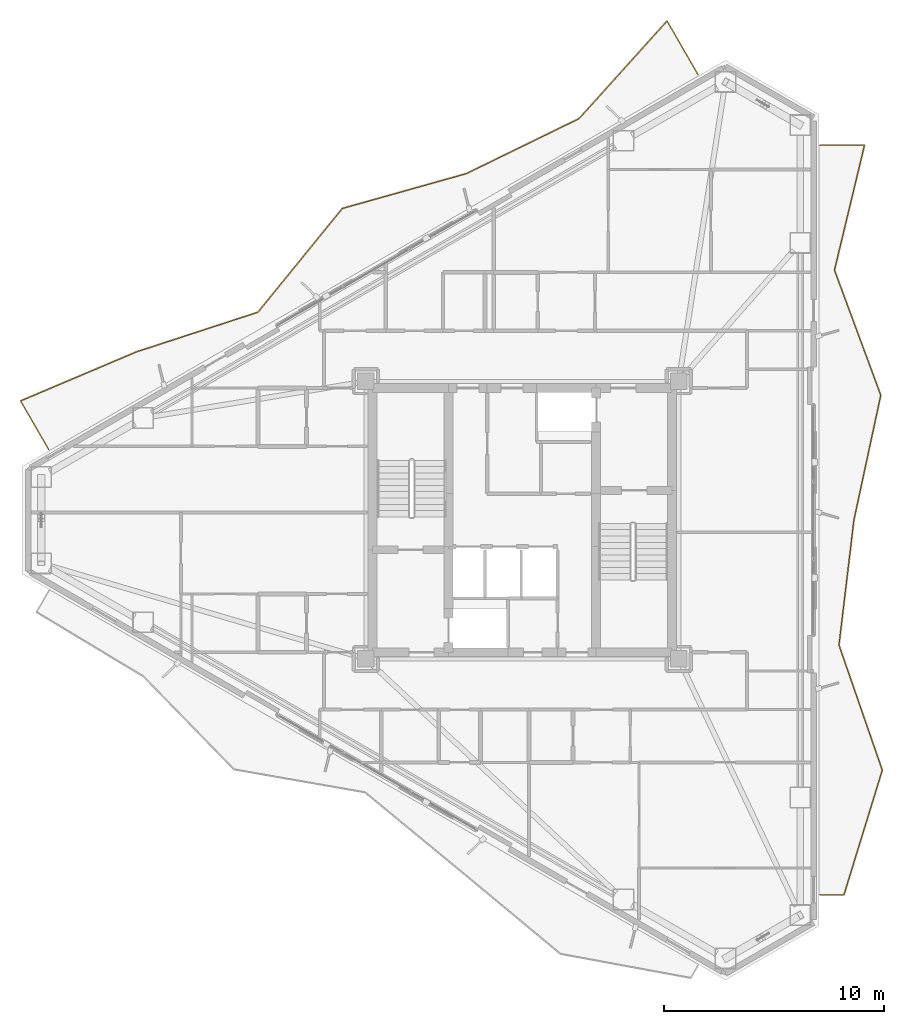
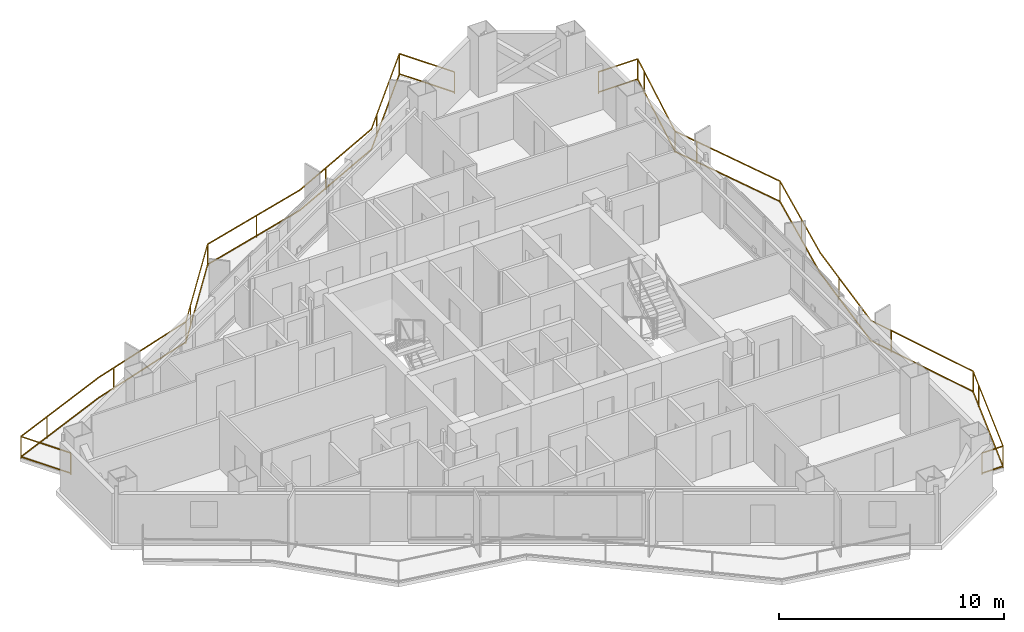
# One storey, part 19 of 19: 2 railings.
"""IFC4 building model written with IfcOpenShell, lengths in metres."""

from ifc_helpers import new_model, si_unit, direction, frame, origin, origin_2d, place, context, subcontext, project, spatial, rectangle, extrude, material, type_object, element, save


model = new_model("IFC4")

# Units and contexts
model_context = context("Model", 3, precision=1e-05, world=origin(), true_north=direction((0.0, 1.0)))
body_context = subcontext(model_context, "Body", "Model", "MODEL_VIEW")
ifc_project = project(units=[si_unit("LENGTHUNIT", "METRE"), si_unit("AREAUNIT", "SQUARE_METRE"), si_unit("VOLUMEUNIT", "CUBIC_METRE"), si_unit("PLANEANGLEUNIT", "RADIAN"), si_unit("MASSUNIT", "GRAM", prefix="KILO")], contexts=[model_context])

# Site, building, storey
site_placement = place(None, origin())
site = spatial("IfcSite", under=ifc_project, at=site_placement, CompositionType="ELEMENT")
building_placement = place(site_placement, origin())
building = spatial("IfcBuilding", under=site, at=building_placement, Name="Mersakhor Tower and Convention Hall", CompositionType="ELEMENT")
storey_placement = place(building_placement, frame((0.0, 0.0, 147.60009765625)))
storey = spatial("IfcBuildingStorey", under=building, at=storey_placement, Name="L41", CompositionType="ELEMENT", Elevation=147.60009765625)

# Railings
ifc_material = material(Name="Powder-coated galvanised steel and laminated glass balustrade", Category="steel")
railing_type = type_object("IfcRailingType", Name="RL-BAL-1200", PredefinedType="BALUSTRADE", material=ifc_material)
railing_1_placement = place(storey_placement, frame((36.983154296875, 46.969482421875, 0.0)))
element("IfcRailing", 1, at=railing_1_placement, inside=storey, type_object=railing_type, Name="L41 Sinusoidal Balcony Balustrade F1", PredefinedType="BALUSTRADE", context=body_context, shape_type="SweptSolid", body=[
    extrude(rectangle(XDim=0.048095703125, YDim=0.048095703125, at=origin_2d()), frame((0.0, 0.0, 1.17578125), z_axis=(-0.500012199891, 0.86601836006, 0.0), x_axis=(-0.86601836006, -0.500012199891, 0.0)), (0.0, 0.0, 1.0), 2.8203125),
    extrude(rectangle(XDim=0.048095703125, YDim=0.048095703125, at=origin_2d()), frame((0.0, 0.0, 0.080078125), z_axis=(-0.500012199891, 0.86601836006, 0.0), x_axis=(-0.86601836006, -0.500012199891, 0.0)), (0.0, 0.0, 1.0), 2.8203125),
    extrude(rectangle(XDim=0.048095703125, YDim=0.048095703125, at=origin_2d()), frame((-1.41015625, 2.4423828125, 1.17578125), z_axis=(-0.669360291036, -0.742937952177, 0.0), x_axis=(0.742937952177, -0.669360291036, 0.0)), (0.0, 0.0, 1.0), 5.966064453125),
    extrude(rectangle(XDim=0.048095703125, YDim=0.048095703125, at=origin_2d()), frame((-1.41015625, 2.4423828125, 0.080078125), z_axis=(-0.669360291036, -0.742937952177, 0.0), x_axis=(0.742937952177, -0.669360291036, 0.0)), (0.0, 0.0, 1.0), 5.966064453125),
    extrude(rectangle(XDim=0.048095703125, YDim=0.048095703125, at=origin_2d()), frame((-5.403564453125, -1.989990234375, 1.17578125), z_axis=(-0.898610808276, -0.438746641297, 0.0), x_axis=(0.438746641297, -0.898610808276, 0.0)), (0.0, 0.0, 1.0), 5.68798828125),
    extrude(rectangle(XDim=0.048095703125, YDim=0.048095703125, at=origin_2d()), frame((-5.403564453125, -1.989990234375, 0.080078125), z_axis=(-0.898610808276, -0.438746641297, 0.0), x_axis=(0.438746641297, -0.898610808276, 0.0)), (0.0, 0.0, 1.0), 5.68798828125),
    extrude(rectangle(XDim=0.048095703125, YDim=0.048095703125, at=origin_2d()), frame((-10.514892578125, -4.485595703125, 1.17578125), z_axis=(-0.96273679858, -0.270440116589, 0.0), x_axis=(0.270440116589, -0.96273679858, 0.0)), (0.0, 0.0, 1.0), 5.856201171875),
    extrude(rectangle(XDim=0.048095703125, YDim=0.048095703125, at=origin_2d()), frame((-10.514892578125, -4.485595703125, 0.080078125), z_axis=(-0.96273679858, -0.270440116589, 0.0), x_axis=(0.270440116589, -0.96273679858, 0.0)), (0.0, 0.0, 1.0), 5.856201171875),
    extrude(rectangle(XDim=0.048095703125, YDim=0.048095703125, at=origin_2d()), frame((-16.15283203125, -6.0693359375, 1.17578125), z_axis=(-0.630989062875, -0.775791726259, 0.0), x_axis=(0.775791726259, -0.630989062875, 0.0)), (0.0, 0.0, 1.0), 6.072998046875),
    extrude(rectangle(XDim=0.048095703125, YDim=0.048095703125, at=origin_2d()), frame((-16.15283203125, -6.0693359375, 0.080078125), z_axis=(-0.630989062875, -0.775791726259, 0.0), x_axis=(0.775791726259, -0.630989062875, 0.0)), (0.0, 0.0, 1.0), 6.072998046875),
    extrude(rectangle(XDim=0.048095703125, YDim=0.048095703125, at=origin_2d()), frame((-19.98486328125, -10.78076171875, 1.17578125), z_axis=(-0.950655636145, -0.310248064402, 0.0), x_axis=(0.310248064402, -0.950655636145, 0.0)), (0.0, 0.0, 1.0), 5.799560546875),
    extrude(rectangle(XDim=0.048095703125, YDim=0.048095703125, at=origin_2d()), frame((-19.98486328125, -10.78076171875, 0.080078125), z_axis=(-0.950655636145, -0.310248064402, 0.0), x_axis=(0.310248064402, -0.950655636145, 0.0)), (0.0, 0.0, 1.0), 5.799560546875),
    extrude(rectangle(XDim=0.048095703125, YDim=0.048095703125, at=origin_2d()), frame((-25.498291015625, -12.580078125, 1.17578125), z_axis=(-0.920808646628, -0.390014661642, 0.0), x_axis=(0.390014661642, -0.920808646628, 0.0)), (0.0, 0.0, 1.0), 5.7177734375),
    extrude(rectangle(XDim=0.048095703125, YDim=0.048095703125, at=origin_2d()), frame((-25.498291015625, -12.580078125, 0.080078125), z_axis=(-0.920808646628, -0.390014661642, 0.0), x_axis=(0.390014661642, -0.920808646628, 0.0)), (0.0, 0.0, 1.0), 5.7177734375),
    extrude(rectangle(XDim=0.048095703125, YDim=0.048095703125, at=origin_2d()), frame((-30.76318359375, -14.81005859375, 1.17578125), z_axis=(0.500022914263, -0.866012173824, 0.0), x_axis=(0.866012173824, 0.500022914263, 0.0)), (0.0, 0.0, 1.0), 2.5556640625),
    extrude(rectangle(XDim=0.048095703125, YDim=0.048095703125, at=origin_2d()), frame((-30.76318359375, -14.81005859375, 0.080078125), z_axis=(0.500022914263, -0.866012173824, 0.0), x_axis=(0.866012173824, 0.500022914263, 0.0)), (0.0, 0.0, 1.0), 2.5556640625),
    extrude(rectangle(XDim=0.0419921875, YDim=0.0419921875, at=origin_2d()), origin(), (0.0, 0.0, 1.0), 1.15185546875),
    extrude(rectangle(XDim=0.0419921875, YDim=0.0419921875, at=origin_2d()), frame((-1.41015625, 2.4423828125, 0.0)), (0.0, 0.0, 1.0), 1.15185546875),
    extrude(rectangle(XDim=0.0419921875, YDim=0.0419921875, at=origin_2d()), frame((-4.623046875, -1.123779296875, 0.0)), (0.0, 0.0, 1.0), 1.15185546875),
    extrude(rectangle(XDim=0.0419921875, YDim=0.0419921875, at=origin_2d()), frame((-8.669189453125, -3.58447265625, 0.0)), (0.0, 0.0, 1.0), 1.15185546875),
    extrude(rectangle(XDim=0.0419921875, YDim=0.0419921875, at=origin_2d()), frame((-13.158447265625, -5.228271484375, 0.0)), (0.0, 0.0, 1.0), 1.15185546875),
    extrude(rectangle(XDim=0.0419921875, YDim=0.0419921875, at=origin_2d()), frame((-16.15283203125, -6.0693359375, 0.0)), (0.0, 0.0, 1.0), 1.15185546875),
    extrude(rectangle(XDim=0.0419921875, YDim=0.0419921875, at=origin_2d()), frame((-19.181640625, -9.793212890625, 0.0)), (0.0, 0.0, 1.0), 1.15185546875),
    extrude(rectangle(XDim=0.0419921875, YDim=0.0419921875, at=origin_2d()), frame((-19.98486328125, -10.78076171875, 0.0)), (0.0, 0.0, 1.0), 1.15185546875),
    extrude(rectangle(XDim=0.0419921875, YDim=0.0419921875, at=origin_2d()), frame((-24.548095703125, -12.27001953125, 0.0)), (0.0, 0.0, 1.0), 1.15185546875),
    extrude(rectangle(XDim=0.0419921875, YDim=0.0419921875, at=origin_2d()), frame((-28.997802734375, -14.062255859375, 0.0)), (0.0, 0.0, 1.0), 1.15185546875),
    extrude(rectangle(XDim=0.0419921875, YDim=0.0419921875, at=origin_2d()), frame((-30.76318359375, -14.81005859375, 0.0)), (0.0, 0.0, 1.0), 1.15185546875),
    extrude(rectangle(XDim=0.0419921875, YDim=0.0419921875, at=origin_2d()), frame((-29.4853515625, -17.023193359375, 0.0)), (0.0, 0.0, 1.0), 1.15185546875),
])
railing_2_placement = place(storey_placement, frame((42.519287109375, 9.726806640625, 0.0)))
element("IfcRailing", 2, at=railing_2_placement, inside=storey, type_object=railing_type, Name="L41 Sinusoidal Balcony Balustrade F2", PredefinedType="BALUSTRADE", context=body_context, shape_type="SweptSolid", body=[
    extrude(rectangle(XDim=0.048095703125, YDim=0.048095703125, at=origin_2d()), frame((0.0, 0.0, 1.17578125), z_axis=(1.0, 0.0, 0.0), x_axis=(0.0, 1.0, 0.0)), (0.0, 0.0, 1.0), 1.075927734375),
    extrude(rectangle(XDim=0.048095703125, YDim=0.048095703125, at=origin_2d()), frame((0.0, 0.0, 0.080078125), z_axis=(1.0, 0.0, 0.0), x_axis=(0.0, 1.0, 0.0)), (0.0, 0.0, 1.0), 1.075927734375),
    extrude(rectangle(XDim=0.048095703125, YDim=0.048095703125, at=origin_2d()), frame((1.075927734375, 0.0, 1.17578125), z_axis=(0.293770821567, 0.955875883363, 0.0), x_axis=(-0.955875883363, 0.293770821567, 0.0)), (0.0, 0.0, 1.0), 5.936279296875),
    extrude(rectangle(XDim=0.048095703125, YDim=0.048095703125, at=origin_2d()), frame((1.075927734375, 0.0, 0.080078125), z_axis=(0.293770821567, 0.955875883363, 0.0), x_axis=(-0.955875883363, 0.293770821567, 0.0)), (0.0, 0.0, 1.0), 5.936279296875),
    extrude(rectangle(XDim=0.048095703125, YDim=0.048095703125, at=origin_2d()), frame((2.81982421875, 5.67431640625, 1.17578125), z_axis=(-0.327232042812, 0.944944014298, 0.0), x_axis=(-0.944944014298, -0.327232042812, 0.0)), (0.0, 0.0, 1.0), 6.005126953125),
    extrude(rectangle(XDim=0.048095703125, YDim=0.048095703125, at=origin_2d()), frame((2.81982421875, 5.67431640625, 0.080078125), z_axis=(-0.327232042812, 0.944944014298, 0.0), x_axis=(-0.944944014298, -0.327232042812, 0.0)), (0.0, 0.0, 1.0), 6.005126953125),
    extrude(rectangle(XDim=0.048095703125, YDim=0.048095703125, at=origin_2d()), frame((0.854736328125, 11.348876953125, 1.17578125), z_axis=(0.118343279321, 0.992972742949, 0.0), x_axis=(-0.992972742949, 0.118343279321, 0.0)), (0.0, 0.0, 1.0), 5.71435546875),
    extrude(rectangle(XDim=0.048095703125, YDim=0.048095703125, at=origin_2d()), frame((0.854736328125, 11.348876953125, 0.080078125), z_axis=(0.118343279321, 0.992972742949, 0.0), x_axis=(-0.992972742949, 0.118343279321, 0.0)), (0.0, 0.0, 1.0), 5.71435546875),
    extrude(rectangle(XDim=0.048095703125, YDim=0.048095703125, at=origin_2d()), frame((1.531005859375, 17.023193359375, 1.17578125), z_axis=(0.210275912908, 0.977642081976, 0.0), x_axis=(-0.977642081976, 0.210275912908, 0.0)), (0.0, 0.0, 1.0), 5.80419921875),
    extrude(rectangle(XDim=0.048095703125, YDim=0.048095703125, at=origin_2d()), frame((1.531005859375, 17.023193359375, 0.080078125), z_axis=(0.210275912908, 0.977642081976, 0.0), x_axis=(-0.977642081976, 0.210275912908, 0.0)), (0.0, 0.0, 1.0), 5.80419921875),
    extrude(rectangle(XDim=0.048095703125, YDim=0.048095703125, at=origin_2d()), frame((2.75146484375, 22.697509765625, 1.17578125), z_axis=(-0.347295959276, 0.937755574055, 0.0), x_axis=(-0.937755574055, -0.347295959276, 0.0)), (0.0, 0.0, 1.0), 6.05126953125),
    extrude(rectangle(XDim=0.048095703125, YDim=0.048095703125, at=origin_2d()), frame((2.75146484375, 22.697509765625, 0.080078125), z_axis=(-0.347295959276, 0.937755574055, 0.0), x_axis=(-0.937755574055, -0.347295959276, 0.0)), (0.0, 0.0, 1.0), 6.05126953125),
    extrude(rectangle(XDim=0.048095703125, YDim=0.048095703125, at=origin_2d()), frame((0.64990234375, 28.3720703125, 1.17578125), z_axis=(0.233607120925, 0.972331071731, 0.0), x_axis=(-0.972331071731, 0.233607120925, 0.0)), (0.0, 0.0, 1.0), 5.835693359375),
    extrude(rectangle(XDim=0.048095703125, YDim=0.048095703125, at=origin_2d()), frame((0.64990234375, 28.3720703125, 0.080078125), z_axis=(0.233607120925, 0.972331071731, 0.0), x_axis=(-0.972331071731, 0.233607120925, 0.0)), (0.0, 0.0, 1.0), 5.835693359375),
    extrude(rectangle(XDim=0.048095703125, YDim=0.048095703125, at=origin_2d()), frame((2.01318359375, 34.04638671875, 1.17578125), z_axis=(-1.0, 0.0, 0.0), x_axis=(0.0, -1.0, 0.0)), (0.0, 0.0, 1.0), 2.01318359375),
    extrude(rectangle(XDim=0.048095703125, YDim=0.048095703125, at=origin_2d()), frame((2.01318359375, 34.04638671875, 0.080078125), z_axis=(-1.0, 0.0, 0.0), x_axis=(0.0, -1.0, 0.0)), (0.0, 0.0, 1.0), 2.01318359375),
    extrude(rectangle(XDim=0.0419921875, YDim=0.0419921875, at=origin_2d()), origin(), (0.0, 0.0, 1.0), 1.15185546875),
    extrude(rectangle(XDim=0.0419921875, YDim=0.0419921875, at=origin_2d()), frame((1.075927734375, 0.0, 0.0)), (0.0, 0.0, 1.0), 1.15185546875),
    extrude(rectangle(XDim=0.0419921875, YDim=0.0419921875, at=origin_2d()), frame((2.486083984375, 4.588134765625, 0.0)), (0.0, 0.0, 1.0), 1.15185546875),
    extrude(rectangle(XDim=0.0419921875, YDim=0.0419921875, at=origin_2d()), frame((2.81982421875, 5.67431640625, 0.0)), (0.0, 0.0, 1.0), 1.15185546875),
    extrude(rectangle(XDim=0.0419921875, YDim=0.0419921875, at=origin_2d()), frame((1.2490234375, 10.2099609375, 0.0)), (0.0, 0.0, 1.0), 1.15185546875),
    extrude(rectangle(XDim=0.0419921875, YDim=0.0419921875, at=origin_2d()), frame((1.2802734375, 14.91845703125, 0.0)), (0.0, 0.0, 1.0), 1.15185546875),
    extrude(rectangle(XDim=0.0419921875, YDim=0.0419921875, at=origin_2d()), frame((2.0947265625, 19.6435546875, 0.0)), (0.0, 0.0, 1.0), 1.15185546875),
    extrude(rectangle(XDim=0.0419921875, YDim=0.0419921875, at=origin_2d()), frame((2.75146484375, 22.697509765625, 0.0)), (0.0, 0.0, 1.0), 1.15185546875),
    extrude(rectangle(XDim=0.0419921875, YDim=0.0419921875, at=origin_2d()), frame((1.08447265625, 27.19873046875, 0.0)), (0.0, 0.0, 1.0), 1.15185546875),
    extrude(rectangle(XDim=0.0419921875, YDim=0.0419921875, at=origin_2d()), frame((0.64990234375, 28.3720703125, 0.0)), (0.0, 0.0, 1.0), 1.15185546875),
    extrude(rectangle(XDim=0.0419921875, YDim=0.0419921875, at=origin_2d()), frame((1.771240234375, 33.039306640625, 0.0)), (0.0, 0.0, 1.0), 1.15185546875),
    extrude(rectangle(XDim=0.0419921875, YDim=0.0419921875, at=origin_2d()), frame((2.01318359375, 34.04638671875, 0.0)), (0.0, 0.0, 1.0), 1.15185546875),
    extrude(rectangle(XDim=0.0419921875, YDim=0.0419921875, at=origin_2d()), frame((0.0, 34.04638671875, 0.0)), (0.0, 0.0, 1.0), 1.15185546875),
])

save(model, "model.ifc")
